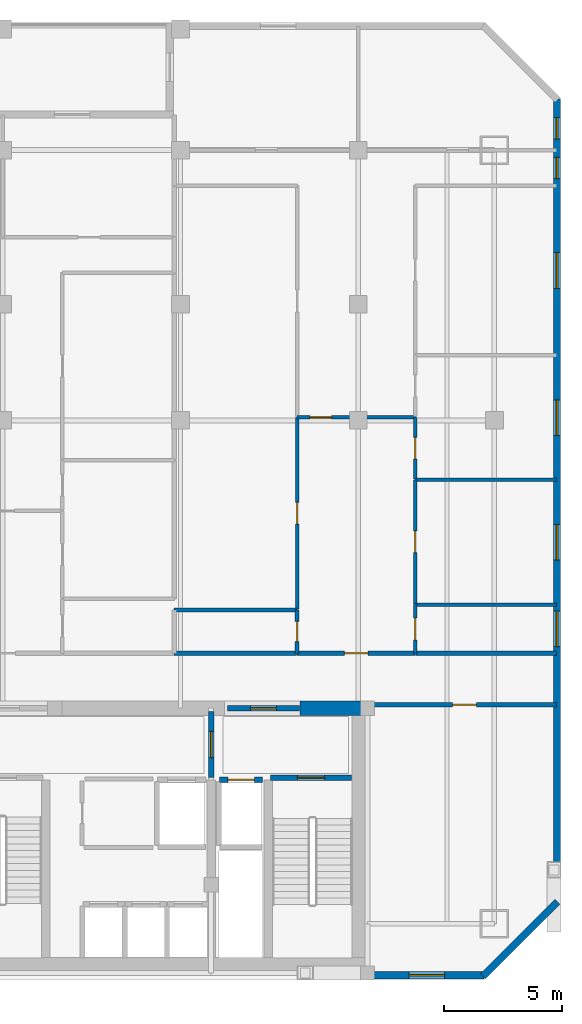
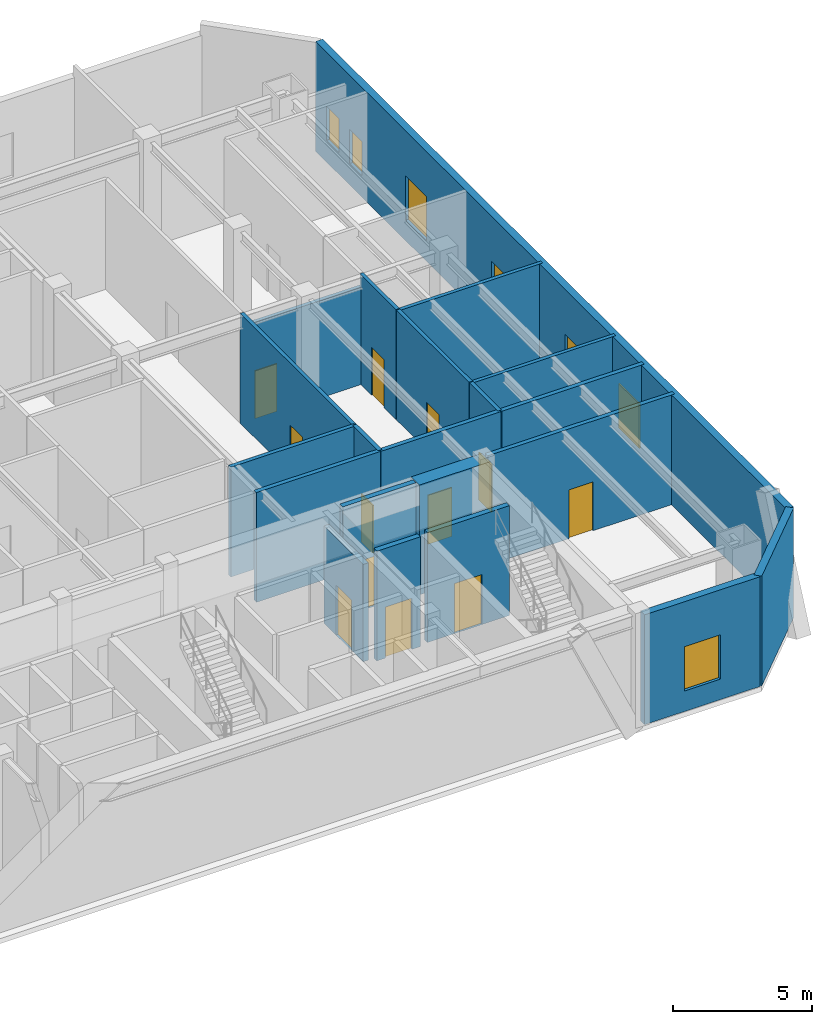
# One storey, part 5 of 8: 21 walls, 12 doors, 7 windows, 19 openings.
"""IFC4 building model written with IfcOpenShell, lengths in metres."""

from ifc_helpers import new_model, si_unit, direction, frame, frame_2d, origin, place, context, subcontext, project, spatial, rectangle, extrude, material, layer, layer_set, type_object, element, fill, save


model = new_model("IFC4")

# Units and contexts
model_context = context("Model", 3, precision=1e-05, world=origin(), true_north=direction((0.0, 1.0)))
body_context = subcontext(model_context, "Body", "Model", "MODEL_VIEW")
ifc_project = project(units=[si_unit("LENGTHUNIT", "METRE"), si_unit("AREAUNIT", "SQUARE_METRE"), si_unit("VOLUMEUNIT", "CUBIC_METRE"), si_unit("PLANEANGLEUNIT", "RADIAN"), si_unit("MASSUNIT", "GRAM", prefix="KILO")], contexts=[model_context])

# Site, building, storey
site_placement = place(None, origin())
site = spatial("IfcSite", under=ifc_project, at=site_placement, CompositionType="ELEMENT")
building_placement = place(site_placement, origin())
building = spatial("IfcBuilding", under=site, at=building_placement, Name="Ventersveld Concourse Tower", CompositionType="ELEMENT")
storey_placement = place(building_placement, frame((0.0, 0.0, 187.550048828125)))
storey = spatial("IfcBuildingStorey", under=building, at=storey_placement, Name="L46", CompositionType="ELEMENT", Elevation=187.550048828125)

# Wall
ifc_material_1 = material(Name="Concrete C50/60", Category="concrete")
ifc_layer_1 = layer(ifc_material_1, 0.60009765625)
ifc_layer_set_1 = layer_set([ifc_layer_1], Name="Concrete C50/60")
wall_type_1 = type_object("IfcWallType", Name="WL-CORE-600", PredefinedType="SHEAR", material=ifc_layer_set_1)
wall_1_placement = place(storey_placement, frame((41.300048828125, 11.449951171875, 0.0), z_axis=(0.0, 0.0, 1.0), x_axis=(1.0, 0.0, 0.0)))
element("IfcWall", 1, at=wall_1_placement, inside=storey, type_object=wall_type_1, Name="L46 Rear Core North Shear Wall NE", PredefinedType="SHEAR", context=body_context, shape_type="SweptSolid", body=[
    extrude(rectangle(XDim=2.949951171875, YDim=0.60009765625, at=frame_2d((1.47509765625, 0.0))), origin(), (0.0, 0.0, 1.0), 4.829833984375),
])

# Wall, opening, door
ifc_material_2 = material(Name="Fire-rated autoclaved aerated masonry blockwork", Category="masonry")
ifc_layer_2 = layer(ifc_material_2, 0.179931640625)
ifc_layer_set_2 = layer_set([ifc_layer_2], Name="Fire-rated autoclaved aerated masonry blockwork")
wall_type_2 = type_object("IfcWallType", Name="WL-CORR-180", PredefinedType="PARTITIONING", material=ifc_layer_set_2)
wall_2_placement = place(storey_placement, frame((44.35498046875, 11.60009765625, 0.0), z_axis=(0.0, 0.0, 1.0), x_axis=(1.0, 0.0, 0.0)))
wall_2 = element("IfcWall", 2, at=wall_2_placement, inside=storey, type_object=wall_type_2, Name="L46 Interior Partition SP-L46-SE-OFF-SP-L46-COR", PredefinedType="PARTITIONING", context=body_context, shape_type="SweptSolid", body=[
    extrude(rectangle(XDim=7.7724609375, YDim=0.179931640625, at=frame_2d((3.88623046875, 0.0))), origin(), (0.0, 0.0, 1.0), 4.829833984375),
])
opening_1_placement = place(wall_2_placement, frame((3.38623046875, 0.0, 0.0)))
opening_1 = element("IfcOpeningElement", 3, at=opening_1_placement, cuts=wall_2, Name="Opening FD3", PredefinedType="OPENING", context=body_context, shape_type="SweptSolid", body=[
    extrude(rectangle(XDim=1.0, YDim=2.14990234375, at=frame_2d((0.5, 1.074951171875))), frame((0.0, 0.10009765625, 0.0), z_axis=(0.0, -1.0, 0.0), x_axis=(1.0, 0.0, 0.0)), (0.0, 0.0, 1.0), 0.199951171875),
])
ifc_material_3 = material(Name="Solid-core hardwood veneer timber", Category="wood")
door_type_1 = type_object("IfcDoorType", Name="DR-FLAT-100", OperationType="NOTDEFINED", PredefinedType="DOOR", material=ifc_material_3)
door_1_placement = place(opening_1_placement, origin())
door_1 = element("IfcDoor", 4, at=door_1_placement, inside=storey, type_object=door_type_1, Name="L46 Interior Door SP-L46-SE-OFF to SP-L46-COR (D-L46-2254)", OperationType="SINGLE_SWING_RIGHT", OverallHeight=2.14990234375, OverallWidth=1.0, PredefinedType="DOOR", context=body_context, shape_type="SweptSolid", body=[
    extrude(rectangle(XDim=1.0, YDim=2.14990234375, at=frame_2d((0.5, 1.074951171875))), frame((0.0, 0.02490234375, 0.0), z_axis=(0.0, -1.0, 0.0), x_axis=(1.0, 0.0, 0.0)), (0.0, 0.0, 1.0), 0.050048828125),
])
fill(opening_1, door_1)

wall_3_placement = place(storey_placement, frame((41.17138671875, 13.77001953125, 0.0), z_axis=(0.0, 0.0, 1.0), x_axis=(1.0, 0.0, 0.0)))
wall_3 = element("IfcWall", 5, at=wall_3_placement, inside=storey, type_object=wall_type_2, Name="L46 Interior Partition SP-L46-COR-SP-L46-46CE-FOY", PredefinedType="PARTITIONING", context=body_context, shape_type="SweptSolid", body=[
    extrude(rectangle(XDim=4.989990234375, YDim=0.179931640625, at=frame_2d((2.4951171875, 0.0))), origin(), (0.0, 0.0, 1.0), 4.829833984375),
])
opening_2_placement = place(wall_3_placement, frame((1.9951171875, 0.0, 0.0)))
opening_2 = element("IfcOpeningElement", 6, at=opening_2_placement, cuts=wall_3, Name="Opening FD3", PredefinedType="OPENING", context=body_context, shape_type="SweptSolid", body=[
    extrude(rectangle(XDim=1.0, YDim=2.14990234375, at=frame_2d((0.5, 1.074951171875))), frame((0.0, 0.10009765625, 0.0), z_axis=(0.0, -1.0, 0.0), x_axis=(1.0, 0.0, 0.0)), (0.0, 0.0, 1.0), 0.199951171875),
])
door_2_placement = place(opening_2_placement, origin())
door_2 = element("IfcDoor", 7, at=door_2_placement, inside=storey, type_object=door_type_1, Name="L46 Interior Door SP-L46-COR to SP-L46-46CE-FOY (FD-L46-2256)", OperationType="SINGLE_SWING_RIGHT", OverallHeight=2.14990234375, OverallWidth=1.0, PredefinedType="DOOR", context=body_context, shape_type="SweptSolid", body=[
    extrude(rectangle(XDim=1.0, YDim=2.14990234375, at=frame_2d((0.5, 1.074951171875))), frame((0.0, 0.02490234375, 0.0), z_axis=(0.0, -1.0, 0.0), x_axis=(1.0, 0.0, 0.0)), (0.0, 0.0, 1.0), 0.050048828125),
])
fill(opening_2, door_2)

# Walls
wall_4_placement = place(storey_placement, frame((35.985107421875, 13.77001953125, 0.0), z_axis=(0.0, 0.0, 1.0), x_axis=(1.0, 0.0, 0.0)))
element("IfcWall", 8, at=wall_4_placement, inside=storey, type_object=wall_type_2, Name="L46 Interior Partition SP-L46-COR-SP-L46-46CE-BATH", PredefinedType="PARTITIONING", context=body_context, shape_type="SweptSolid", body=[
    extrude(rectangle(XDim=5.15625, YDim=0.179931640625, at=frame_2d((2.578125, 0.0))), origin(), (0.0, 0.0, 1.0), 4.829833984375),
])
wall_5_placement = place(storey_placement, frame((46.19140625, 13.77001953125, 0.0), z_axis=(0.0, 0.0, 1.0), x_axis=(1.0, 0.0, 0.0)))
element("IfcWall", 9, at=wall_5_placement, inside=storey, type_object=wall_type_2, Name="L46 Interior Partition SP-L46-COR-SP-L46-46CE-KIT", PredefinedType="PARTITIONING", context=body_context, shape_type="SweptSolid", body=[
    extrude(rectangle(XDim=5.93603515625, YDim=0.179931640625, at=frame_2d((2.968017578125, 0.0))), origin(), (0.0, 0.0, 1.0), 4.829833984375),
])

# Wall, opening, door
ifc_layer_3 = layer(ifc_material_2, 0.219970703125)
ifc_layer_set_3 = layer_set([ifc_layer_3], Name="Fire-rated autoclaved aerated masonry blockwork")
wall_type_3 = type_object("IfcWallType", Name="WL-HOIST-220", PredefinedType="SOLIDWALL", material=ifc_layer_set_3)
wall_6_placement = place(storey_placement, frame((37.89990234375, 8.429931640625, 0.0), z_axis=(0.0, 0.0, 1.0), x_axis=(1.0, 0.0, 0.0)))
wall_6 = element("IfcWall", 10, at=wall_6_placement, inside=storey, type_object=wall_type_3, Name="L46 Lift Hoistway Front Wall FFL-02", PredefinedType="SOLIDWALL", context=body_context, shape_type="SweptSolid", body=[
    extrude(rectangle(XDim=1.820068359375, YDim=0.219970703125, at=frame_2d((0.91015625, 0.0))), origin(), (0.0, 0.0, 1.0), 4.829833984375),
])
opening_3_placement = place(wall_6_placement, frame((0.35009765625, 0.0, 0.0)))
opening_3 = element("IfcOpeningElement", 11, at=opening_3_placement, cuts=wall_6, Name="Opening LD1", PredefinedType="OPENING", context=body_context, shape_type="SweptSolid", body=[
    extrude(rectangle(XDim=1.1201171875, YDim=2.25, at=frame_2d((0.56005859375, 1.125))), frame((0.0, 0.1201171875, 0.0), z_axis=(0.0, -1.0, 0.0), x_axis=(1.0, 0.0, 0.0)), (0.0, 0.0, 1.0), 0.239990234375),
])
ifc_material_4 = material(Name="Brushed stainless steel 316", Category="steel")
door_type_2 = type_object("IfcDoorType", Name="LD-FF-112", OperationType="SLIDING_TO_LEFT", PredefinedType="DOOR", material=ifc_material_4)
door_3_placement = place(opening_3_placement, origin())
door_3 = element("IfcDoor", 12, at=door_3_placement, inside=storey, type_object=door_type_2, Name="L46 Lift landing door FFL-02 (LD-L46-FFL-02)", OperationType="SLIDING_TO_RIGHT", OverallHeight=2.25, OverallWidth=1.1201171875, PredefinedType="DOOR", context=body_context, shape_type="SweptSolid", body=[
    extrude(rectangle(XDim=1.1201171875, YDim=2.25, at=frame_2d((0.56005859375, 1.125))), frame((0.0, 0.02490234375, 0.0), z_axis=(0.0, -1.0, 0.0), x_axis=(1.0, 0.0, 0.0)), (0.0, 0.0, 1.0), 0.050048828125),
])
fill(opening_3, door_3)

wall_7_placement = place(storey_placement, frame((40.06005859375, 8.52001953125, 0.0), z_axis=(0.0, 0.0, 1.0), x_axis=(1.0, 0.0, 0.0)))
wall_7 = element("IfcWall", 13, at=wall_7_placement, inside=storey, type_object=wall_type_3, Name="L46 Escape Stair ST02 Fire Wall", PredefinedType="SOLIDWALL", context=body_context, shape_type="SweptSolid", body=[
    extrude(rectangle(XDim=3.39990234375, YDim=0.219970703125, at=frame_2d((1.699951171875, 0.0))), origin(), (0.0, 0.0, 1.0), 4.829833984375),
])
opening_4_placement = place(wall_7_placement, frame((1.125, 0.0, 0.0)))
opening_4 = element("IfcOpeningElement", 14, at=opening_4_placement, cuts=wall_7, Name="Opening FD1", PredefinedType="OPENING", context=body_context, shape_type="SweptSolid", body=[
    extrude(rectangle(XDim=1.14990234375, YDim=2.199951171875, at=frame_2d((0.574951171875, 1.10009765625))), frame((0.0, 0.1201171875, 0.0), z_axis=(0.0, -1.0, 0.0), x_axis=(1.0, 0.0, 0.0)), (0.0, 0.0, 1.0), 0.239990234375),
])
ifc_material_5 = material(Name="Galvanised painted steel", Category="steel")
door_type_3 = type_object("IfcDoorType", Name="DR-STAIR-115", OperationType="NOTDEFINED", PredefinedType="DOOR", material=ifc_material_5)
door_4_placement = place(opening_4_placement, origin())
door_4 = element("IfcDoor", 15, at=door_4_placement, inside=storey, type_object=door_type_3, Name="L46 Escape Stair Door ST02 (SD-L46-2242)", OperationType="SINGLE_SWING_RIGHT", OverallHeight=2.199951171875, OverallWidth=1.14990234375, PredefinedType="DOOR", context=body_context, shape_type="SweptSolid", body=[
    extrude(rectangle(XDim=1.14990234375, YDim=2.199951171875, at=frame_2d((0.574951171875, 1.10009765625))), frame((0.0, 0.02490234375, 0.0), z_axis=(0.0, -1.0, 0.0), x_axis=(1.0, 0.0, 0.0)), (0.0, 0.0, 1.0), 0.050048828125),
])
fill(opening_4, door_4)

wall_8_placement = place(storey_placement, frame((37.550048828125, 8.52001953125, 0.0), z_axis=(0.0, 0.0, 1.0), x_axis=(0.0, 1.0, 0.0)))
wall_8 = element("IfcWall", 16, at=wall_8_placement, inside=storey, type_object=wall_type_3, Name="L46 Firefighting Lobby Smoke-Stop Wall FFLE-SEP", PredefinedType="SOLIDWALL", context=body_context, shape_type="SweptSolid", body=[
    extrude(rectangle(XDim=2.800048828125, YDim=0.219970703125, at=frame_2d((1.39990234375, 0.0))), origin(), (0.0, 0.0, 1.0), 4.285400390625),
])
opening_5_placement = place(wall_8_placement, frame((0.85009765625, 0.0, 0.0)))
opening_5 = element("IfcOpeningElement", 17, at=opening_5_placement, cuts=wall_8, Name="Opening FD2", PredefinedType="OPENING", context=body_context, shape_type="SweptSolid", body=[
    extrude(rectangle(XDim=1.10009765625, YDim=2.199951171875, at=frame_2d((0.550048828125, 1.10009765625))), frame((0.0, 0.1201171875, 0.0), z_axis=(0.0, -1.0, 0.0), x_axis=(1.0, 0.0, 0.0)), (0.0, 0.0, 1.0), 0.239990234375),
])
door_type_4 = type_object("IfcDoorType", Name="DR-FFL-110", OperationType="NOTDEFINED", PredefinedType="DOOR", material=ifc_material_5)
door_5_placement = place(opening_5_placement, origin())
door_5 = element("IfcDoor", 18, at=door_5_placement, inside=storey, type_object=door_type_4, Name="L46 Firefighting Lobby Door FFLE-SEP (FD-L46-2245)", OperationType="SINGLE_SWING_RIGHT", OverallHeight=2.199951171875, OverallWidth=1.10009765625, PredefinedType="DOOR", context=body_context, shape_type="SweptSolid", body=[
    extrude(rectangle(XDim=1.10009765625, YDim=2.199951171875, at=frame_2d((0.550048828125, 1.10009765625))), frame((0.0, 0.02490234375, 0.0), z_axis=(0.0, -1.0, 0.0), x_axis=(1.0, 0.0, 0.0)), (0.0, 0.0, 1.0), 0.050048828125),
])
fill(opening_5, door_5)

wall_9_placement = place(storey_placement, frame((38.22998046875, 11.449951171875, 0.0), z_axis=(0.0, 0.0, 1.0), x_axis=(1.0, 0.0, 0.0)))
wall_9 = element("IfcWall", 19, at=wall_9_placement, inside=storey, type_object=wall_type_3, Name="L46 Core North Fire Portal FFLE-OUT", PredefinedType="SOLIDWALL", context=body_context, shape_type="SweptSolid", body=[
    extrude(rectangle(XDim=3.0400390625, YDim=0.219970703125, at=frame_2d((1.52001953125, 0.0))), origin(), (0.0, 0.0, 1.0), 4.829833984375),
])
opening_6_placement = place(wall_9_placement, frame((0.969970703125, 0.0, 0.0)))
opening_6 = element("IfcOpeningElement", 20, at=opening_6_placement, cuts=wall_9, Name="Opening FD2", PredefinedType="OPENING", context=body_context, shape_type="SweptSolid", body=[
    extrude(rectangle(XDim=1.10009765625, YDim=2.199951171875, at=frame_2d((0.550048828125, 1.10009765625))), frame((0.0, 0.1201171875, 0.0), z_axis=(0.0, -1.0, 0.0), x_axis=(1.0, 0.0, 0.0)), (0.0, 0.0, 1.0), 0.239990234375),
])
door_6_placement = place(opening_6_placement, origin())
door_6 = element("IfcDoor", 21, at=door_6_placement, inside=storey, type_object=door_type_4, Name="L46 Core Lobby Fire Door FFLE-OUT (FD-L46-2248)", OperationType="SINGLE_SWING_LEFT", OverallHeight=2.199951171875, OverallWidth=1.10009765625, PredefinedType="DOOR", context=body_context, shape_type="SweptSolid", body=[
    extrude(rectangle(XDim=1.10009765625, YDim=2.199951171875, at=frame_2d((0.550048828125, 1.10009765625))), frame((0.0, 0.02490234375, 0.0), z_axis=(0.0, -1.0, 0.0), x_axis=(1.0, 0.0, 0.0)), (0.0, 0.0, 1.0), 0.050048828125),
])
fill(opening_6, door_6)

ifc_material_6 = material(Name="Autoclaved aerated masonry blockwork", Category="masonry")
ifc_layer_4 = layer(ifc_material_6, 0.14990234375)
ifc_layer_set_4 = layer_set([ifc_layer_4], Name="Autoclaved aerated masonry blockwork")
wall_type_4 = type_object("IfcWallType", Name="WL-INT-150", PredefinedType="PARTITIONING", material=ifc_layer_set_4)
wall_10_placement = place(storey_placement, frame((41.17138671875, 23.720703125, 0.0), z_axis=(0.0, 0.0, 1.0), x_axis=(1.0, 0.0, 0.0)))
wall_10 = element("IfcWall", 22, at=wall_10_placement, inside=storey, type_object=wall_type_4, Name="L46 Interior Partition SP-L46-46CE-FOY-SP-L46-46CE-LIV", PredefinedType="PARTITIONING", context=body_context, shape_type="SweptSolid", body=[
    extrude(rectangle(XDim=4.989990234375, YDim=0.14990234375, at=frame_2d((2.4951171875, 0.0))), origin(), (0.0, 0.0, 1.0), 4.285400390625),
])
opening_7_placement = place(wall_10_placement, frame((0.5380859375, 0.0, 0.0)))
opening_7 = element("IfcOpeningElement", 23, at=opening_7_placement, cuts=wall_10, Name="Opening ID1", PredefinedType="OPENING", context=body_context, shape_type="SweptSolid", body=[
    extrude(rectangle(XDim=0.919921875, YDim=2.10009765625, at=frame_2d((0.4599609375, 1.050048828125))), frame((0.0, 0.0849609375, 0.0), z_axis=(0.0, -1.0, 0.0), x_axis=(1.0, 0.0, 0.0)), (0.0, 0.0, 1.0), 0.169921875),
])
door_type_5 = type_object("IfcDoorType", Name="DR-ROOM-092", OperationType="NOTDEFINED", PredefinedType="DOOR", material=ifc_material_3)
door_7_placement = place(opening_7_placement, origin())
door_7 = element("IfcDoor", 24, at=door_7_placement, inside=storey, type_object=door_type_5, Name="L46 Interior Door SP-L46-46CE-FOY to SP-L46-46CE-LIV (D-L46-2266)", OperationType="SINGLE_SWING_RIGHT", OverallHeight=2.10009765625, OverallWidth=0.919921875, PredefinedType="DOOR", context=body_context, shape_type="SweptSolid", body=[
    extrude(rectangle(XDim=0.919921875, YDim=2.10009765625, at=frame_2d((0.4599609375, 1.050048828125))), frame((0.0, 0.02490234375, 0.0), z_axis=(0.0, -1.0, 0.0), x_axis=(1.0, 0.0, 0.0)), (0.0, 0.0, 1.0), 0.050048828125),
])
fill(opening_7, door_7)

wall_11_placement = place(storey_placement, frame((41.176513671875, 15.635009765625, 0.0), z_axis=(0.0, 0.0, 1.0), x_axis=(0.0, 1.0, 0.0)))
wall_11 = element("IfcWall", 25, at=wall_11_placement, inside=storey, type_object=wall_type_4, Name="L46 Interior Partition SP-L46-46CE-FOY-SP-L46-46CE-OFFL0", PredefinedType="PARTITIONING", context=body_context, shape_type="SweptSolid", body=[
    extrude(rectangle(XDim=8.0908203125, YDim=0.14990234375, at=frame_2d((4.04541015625, 0.0))), origin(), (0.0, 0.0, 1.0), 4.829833984375),
])
opening_8_placement = place(wall_11_placement, frame((3.58544921875, 0.0, 0.0)))
opening_8 = element("IfcOpeningElement", 26, at=opening_8_placement, cuts=wall_11, Name="Opening ID1", PredefinedType="OPENING", context=body_context, shape_type="SweptSolid", body=[
    extrude(rectangle(XDim=0.919921875, YDim=2.10009765625, at=frame_2d((0.4599609375, 1.050048828125))), frame((0.0, 0.0849609375, 0.0), z_axis=(0.0, -1.0, 0.0), x_axis=(1.0, 0.0, 0.0)), (0.0, 0.0, 1.0), 0.169921875),
])
door_8_placement = place(opening_8_placement, origin())
door_8 = element("IfcDoor", 27, at=door_8_placement, inside=storey, type_object=door_type_5, Name="L46 Interior Door SP-L46-46CE-FOY to SP-L46-46CE-OFFL0 (D-L46-2268)", OperationType="SINGLE_SWING_RIGHT", OverallHeight=2.10009765625, OverallWidth=0.919921875, PredefinedType="DOOR", context=body_context, shape_type="SweptSolid", body=[
    extrude(rectangle(XDim=0.919921875, YDim=2.10009765625, at=frame_2d((0.4599609375, 1.050048828125))), frame((0.0, 0.02490234375, 0.0), z_axis=(0.0, -1.0, 0.0), x_axis=(1.0, 0.0, 0.0)), (0.0, 0.0, 1.0), 0.050048828125),
])
fill(opening_8, door_8)

wall_12_placement = place(storey_placement, frame((46.156494140625, 13.764892578125, 0.0), z_axis=(0.0, 0.0, 1.0), x_axis=(0.0, 1.0, 0.0)))
wall_12 = element("IfcWall", 28, at=wall_12_placement, inside=storey, type_object=wall_type_4, Name="L46 Interior Partition SP-L46-46CE-FOY-SP-L46-46CE-KIT", PredefinedType="PARTITIONING", context=body_context, shape_type="SweptSolid", body=[
    extrude(rectangle(XDim=2.06005859375, YDim=0.14990234375, at=frame_2d((1.030029296875, 0.0))), origin(), (0.0, 0.0, 1.0), 4.829833984375),
])
opening_9_placement = place(wall_12_placement, frame((0.570068359375, 0.0, 0.0)))
opening_9 = element("IfcOpeningElement", 29, at=opening_9_placement, cuts=wall_12, Name="Opening ID1", PredefinedType="OPENING", context=body_context, shape_type="SweptSolid", body=[
    extrude(rectangle(XDim=0.919921875, YDim=2.10009765625, at=frame_2d((0.4599609375, 1.050048828125))), frame((0.0, 0.0849609375, 0.0), z_axis=(0.0, -1.0, 0.0), x_axis=(1.0, 0.0, 0.0)), (0.0, 0.0, 1.0), 0.169921875),
])
door_9_placement = place(opening_9_placement, origin())
door_9 = element("IfcDoor", 30, at=door_9_placement, inside=storey, type_object=door_type_5, Name="L46 Interior Door SP-L46-46CE-FOY to SP-L46-46CE-KIT (D-L46-2269)", OperationType="SINGLE_SWING_LEFT", OverallHeight=2.10009765625, OverallWidth=0.919921875, PredefinedType="DOOR", context=body_context, shape_type="SweptSolid", body=[
    extrude(rectangle(XDim=0.919921875, YDim=2.10009765625, at=frame_2d((0.4599609375, 1.050048828125))), frame((0.0, 0.02490234375, 0.0), z_axis=(0.0, -1.0, 0.0), x_axis=(1.0, 0.0, 0.0)), (0.0, 0.0, 1.0), 0.050048828125),
])
fill(opening_9, door_9)

wall_13_placement = place(storey_placement, frame((46.156494140625, 15.85498046875, 0.0), z_axis=(0.0, 0.0, 1.0), x_axis=(0.0, 1.0, 0.0)))
wall_13 = element("IfcWall", 31, at=wall_13_placement, inside=storey, type_object=wall_type_4, Name="L46 Interior Partition SP-L46-46CE-FOY-SP-L46-46CE-DENR", PredefinedType="PARTITIONING", context=body_context, shape_type="SweptSolid", body=[
    extrude(rectangle(XDim=5.233642578125, YDim=0.14990234375, at=frame_2d((2.61669921875, 0.0))), origin(), (0.0, 0.0, 1.0), 4.829833984375),
])
opening_10_placement = place(wall_13_placement, frame((2.156982421875, 0.0, 0.0)))
opening_10 = element("IfcOpeningElement", 32, at=opening_10_placement, cuts=wall_13, Name="Opening ID1", PredefinedType="OPENING", context=body_context, shape_type="SweptSolid", body=[
    extrude(rectangle(XDim=0.919921875, YDim=2.10009765625, at=frame_2d((0.4599609375, 1.050048828125))), frame((0.0, 0.0849609375, 0.0), z_axis=(0.0, -1.0, 0.0), x_axis=(1.0, 0.0, 0.0)), (0.0, 0.0, 1.0), 0.169921875),
])
door_10_placement = place(opening_10_placement, origin())
door_10 = element("IfcDoor", 33, at=door_10_placement, inside=storey, type_object=door_type_5, Name="L46 Interior Door SP-L46-46CE-FOY to SP-L46-46CE-DENR (D-L46-2270)", OperationType="SINGLE_SWING_RIGHT", OverallHeight=2.10009765625, OverallWidth=0.919921875, PredefinedType="DOOR", context=body_context, shape_type="SweptSolid", body=[
    extrude(rectangle(XDim=0.919921875, YDim=2.10009765625, at=frame_2d((0.4599609375, 1.050048828125))), frame((0.0, 0.02490234375, 0.0), z_axis=(0.0, -1.0, 0.0), x_axis=(1.0, 0.0, 0.0)), (0.0, 0.0, 1.0), 0.050048828125),
])
fill(opening_10, door_10)

wall_14_placement = place(storey_placement, frame((46.156494140625, 21.11865234375, 0.0), z_axis=(0.0, 0.0, 1.0), x_axis=(0.0, 1.0, 0.0)))
wall_14 = element("IfcWall", 34, at=wall_14_placement, inside=storey, type_object=wall_type_4, Name="L46 Interior Partition SP-L46-46CE-FOY-SP-L46-46CE-DENS", PredefinedType="PARTITIONING", context=body_context, shape_type="SweptSolid", body=[
    extrude(rectangle(XDim=2.607177734375, YDim=0.14990234375, at=frame_2d((1.3037109375, 0.0))), origin(), (0.0, 0.0, 1.0), 4.829833984375),
])
opening_11_placement = place(wall_14_placement, frame((0.843505859375, 0.0, 0.0)))
opening_11 = element("IfcOpeningElement", 35, at=opening_11_placement, cuts=wall_14, Name="Opening ID1", PredefinedType="OPENING", context=body_context, shape_type="SweptSolid", body=[
    extrude(rectangle(XDim=0.919921875, YDim=2.10009765625, at=frame_2d((0.4599609375, 1.050048828125))), frame((0.0, 0.0849609375, 0.0), z_axis=(0.0, -1.0, 0.0), x_axis=(1.0, 0.0, 0.0)), (0.0, 0.0, 1.0), 0.169921875),
])
door_11_placement = place(opening_11_placement, origin())
door_11 = element("IfcDoor", 36, at=door_11_placement, inside=storey, type_object=door_type_5, Name="L46 Interior Door SP-L46-46CE-FOY to SP-L46-46CE-DENS (D-L46-2271)", OperationType="SINGLE_SWING_LEFT", OverallHeight=2.10009765625, OverallWidth=0.919921875, PredefinedType="DOOR", context=body_context, shape_type="SweptSolid", body=[
    extrude(rectangle(XDim=0.919921875, YDim=2.10009765625, at=frame_2d((0.4599609375, 1.050048828125))), frame((0.0, 0.02490234375, 0.0), z_axis=(0.0, -1.0, 0.0), x_axis=(1.0, 0.0, 0.0)), (0.0, 0.0, 1.0), 0.050048828125),
])
fill(opening_11, door_11)

# Walls
for number, where, z_axis, x_axis, name in (
    (37, (46.1513671875, 15.820068359375, 0.0), (0.0, 0.0, 1.0), (1.0, 0.0, 0.0), "L46 Interior Partition SP-L46-46CE-KIT-SP-L46-46CE-DENR"),
    (38, (46.1513671875, 21.083740234375, 0.0), (0.0, 0.0, 1.0), (1.0, 0.0, 0.0), "L46 Interior Partition SP-L46-46CE-DENR-SP-L46-46CE-DENS"),
):
    element("IfcWall", number, at=place(storey_placement, frame(where, z_axis=z_axis, x_axis=x_axis)), inside=storey, type_object=wall_type_4, Name=name, PredefinedType="PARTITIONING", context=body_context, shape_type="SweptSolid", body=[
        extrude(rectangle(XDim=5.97607421875, YDim=0.14990234375, at=frame_2d((2.988037109375, 0.0))), origin(), (0.0, 0.0, 1.0), 4.829833984375),
    ])

# Wall, opening, window
ifc_material_7 = material(Name="Precast concrete C45/55", Category="concrete")
ifc_layer_5 = layer(ifc_material_7, 0.300048828125)
ifc_layer_set_5 = layer_set([ifc_layer_5], Name="Precast concrete C45/55")
wall_type_5 = type_object("IfcWallType", Name="WL-PREC-300", PredefinedType="SOLIDWALL", material=ifc_layer_set_5)
wall_15_placement = place(storey_placement, frame((44.25, 0.179931640625, 0.0), z_axis=(0.0, 0.0, 1.0), x_axis=(1.0, 0.0, 0.0)))
wall_15 = element("IfcWall", 39, at=wall_15_placement, inside=storey, type_object=wall_type_5, Name="L46 South-East Flank Precast Wall", PredefinedType="SOLIDWALL", context=body_context, shape_type="SweptSolid", body=[
    extrude(rectangle(XDim=4.81005859375, YDim=0.300048828125, at=frame_2d((2.405029296875, 0.0))), origin(), (0.0, 0.0, 1.0), 4.829833984375),
])
opening_12_placement = place(wall_15_placement, frame((1.655029296875, 0.0, 0.89990234375)))
opening_12 = element("IfcOpeningElement", 40, at=opening_12_placement, cuts=wall_15, Name="Opening W1", PredefinedType="OPENING", context=body_context, shape_type="SweptSolid", body=[
    extrude(rectangle(XDim=1.5, YDim=1.949951171875, at=frame_2d((0.75, 0.97509765625))), frame((0.0, 0.16015625, 0.0), z_axis=(0.0, -1.0, 0.0), x_axis=(1.0, 0.0, 0.0)), (0.0, 0.0, 1.0), 0.320068359375),
])
ifc_material_8 = material(Name="Tempered acoustic Low-E IGU", Category="glass")
window_type_1 = type_object("IfcWindowType", Name="WIN-150x210", PartitioningType="SINGLE_PANEL", PredefinedType="WINDOW", material=ifc_material_8)
window_1_placement = place(opening_12_placement, origin())
window_1 = element("IfcWindow", 41, at=window_1_placement, inside=storey, type_object=window_type_1, Name="L46 Punched Low-E Window W-0637", OverallHeight=1.949951171875, OverallWidth=1.5, PartitioningType="SINGLE_PANEL", PredefinedType="WINDOW", context=body_context, shape_type="SweptSolid", body=[
    extrude(rectangle(XDim=1.5, YDim=1.949951171875, at=frame_2d((0.75, 0.97509765625))), frame((0.0, 0.030029296875, 0.0), z_axis=(0.0, -1.0, 0.0), x_axis=(1.0, 0.0, 0.0)), (0.0, 0.0, 1.0), 0.06005859375),
])
fill(opening_12, window_1)

# Wall
wall_16_placement = place(storey_placement, frame((49.022216796875, 0.134521484375, 0.0), z_axis=(0.0, 0.0, 1.0), x_axis=(0.707106781187, 0.707106781187, 0.0)))
element("IfcWall", 42, at=wall_16_placement, inside=storey, type_object=wall_type_5, Name="L46 Highveld Precast Facade Wall E02", PredefinedType="SOLIDWALL", context=body_context, shape_type="SweptSolid", body=[
    extrude(rectangle(XDim=4.4453125, YDim=0.300048828125, at=frame_2d((2.22265625, 0.0))), origin(), (0.0, 0.0, 1.0), 4.829833984375),
])

# Wall, openings, windows
wall_17_placement = place(storey_placement, frame((52.14990234375, 3.239990234375, 0.0), z_axis=(0.0, 0.0, 1.0), x_axis=(0.0, 1.0, 0.0)))
wall_17 = element("IfcWall", 43, at=wall_17_placement, inside=storey, type_object=wall_type_5, Name="L46 Highveld Precast Facade Wall E03", PredefinedType="SOLIDWALL", context=body_context, shape_type="SweptSolid", body=[
    extrude(rectangle(XDim=33.919921875, YDim=0.300048828125, at=frame_2d((16.9599609375, 0.0))), origin(), (0.0, 0.0, 1.0), 4.829833984375),
])
opening_13_placement = place(wall_17_placement, frame((30.56005859375, 0.0, 0.949951171875)))
opening_13 = element("IfcOpeningElement", 44, at=opening_13_placement, cuts=wall_17, Name="Opening W4", PredefinedType="OPENING", context=body_context, shape_type="SweptSolid", body=[
    extrude(rectangle(XDim=0.89990234375, YDim=1.5, at=frame_2d((0.449951171875, 0.75))), frame((0.0, 0.16015625, 0.0), z_axis=(0.0, -1.0, 0.0), x_axis=(1.0, 0.0, 0.0)), (0.0, 0.0, 1.0), 0.320068359375),
])
opening_14_placement = place(wall_17_placement, frame((10.804931640625, 0.0, 0.89990234375)))
opening_14 = element("IfcOpeningElement", 45, at=opening_14_placement, cuts=wall_17, Name="Opening W1", PredefinedType="OPENING", context=body_context, shape_type="SweptSolid", body=[
    extrude(rectangle(XDim=1.5, YDim=1.949951171875, at=frame_2d((0.75, 0.97509765625))), frame((0.0, 0.16015625, 0.0), z_axis=(0.0, -1.0, 0.0), x_axis=(1.0, 0.0, 0.0)), (0.0, 0.0, 1.0), 0.320068359375),
])
opening_15_placement = place(wall_17_placement, frame((14.4619140625, 0.0, 0.89990234375)))
opening_15 = element("IfcOpeningElement", 46, at=opening_15_placement, cuts=wall_17, Name="Opening W1", PredefinedType="OPENING", context=body_context, shape_type="SweptSolid", body=[
    extrude(rectangle(XDim=1.5, YDim=1.949951171875, at=frame_2d((0.75, 0.97509765625))), frame((0.0, 0.16015625, 0.0), z_axis=(0.0, -1.0, 0.0), x_axis=(1.0, 0.0, 0.0)), (0.0, 0.0, 1.0), 0.320068359375),
])
opening_16_placement = place(wall_17_placement, frame((19.7255859375, 0.0, 0.89990234375)))
opening_16 = element("IfcOpeningElement", 47, at=opening_16_placement, cuts=wall_17, Name="Opening W1", PredefinedType="OPENING", context=body_context, shape_type="SweptSolid", body=[
    extrude(rectangle(XDim=1.5, YDim=1.949951171875, at=frame_2d((0.75, 0.97509765625))), frame((0.0, 0.16015625, 0.0), z_axis=(0.0, -1.0, 0.0), x_axis=(1.0, 0.0, 0.0)), (0.0, 0.0, 1.0), 0.320068359375),
])
opening_17_placement = place(wall_17_placement, frame((25.93359375, 0.0, 0.89990234375)))
opening_17 = element("IfcOpeningElement", 48, at=opening_17_placement, cuts=wall_17, Name="Opening W1", PredefinedType="OPENING", context=body_context, shape_type="SweptSolid", body=[
    extrude(rectangle(XDim=1.5, YDim=1.949951171875, at=frame_2d((0.75, 0.97509765625))), frame((0.0, 0.16015625, 0.0), z_axis=(0.0, -1.0, 0.0), x_axis=(1.0, 0.0, 0.0)), (0.0, 0.0, 1.0), 0.320068359375),
])
opening_18_placement = place(wall_17_placement, frame((32.239990234375, 0.0, 0.949951171875)))
opening_18 = element("IfcOpeningElement", 49, at=opening_18_placement, cuts=wall_17, Name="Opening W4", PredefinedType="OPENING", context=body_context, shape_type="SweptSolid", body=[
    extrude(rectangle(XDim=0.89990234375, YDim=1.5, at=frame_2d((0.449951171875, 0.75))), frame((0.0, 0.16015625, 0.0), z_axis=(0.0, -1.0, 0.0), x_axis=(1.0, 0.0, 0.0)), (0.0, 0.0, 1.0), 0.320068359375),
])
window_type_2 = type_object("IfcWindowType", Name="WIN-090x150", PartitioningType="SINGLE_PANEL", PredefinedType="WINDOW", material=ifc_material_8)
window_2_placement = place(opening_13_placement, origin())
window_2 = element("IfcWindow", 50, at=window_2_placement, inside=storey, type_object=window_type_2, Name="L46 Punched Low-E Window W-0642", OverallHeight=1.5, OverallWidth=0.89990234375, PartitioningType="SINGLE_PANEL", PredefinedType="WINDOW", context=body_context, shape_type="SweptSolid", body=[
    extrude(rectangle(XDim=0.89990234375, YDim=1.5, at=frame_2d((0.449951171875, 0.75))), frame((0.0, 0.030029296875, 0.0), z_axis=(0.0, -1.0, 0.0), x_axis=(1.0, 0.0, 0.0)), (0.0, 0.0, 1.0), 0.06005859375),
])
fill(opening_13, window_2)
window_3_placement = place(opening_18_placement, origin())
window_3 = element("IfcWindow", 51, at=window_3_placement, inside=storey, type_object=window_type_2, Name="L46 Punched Low-E Window W-0648", OverallHeight=1.5, OverallWidth=0.89990234375, PartitioningType="SINGLE_PANEL", PredefinedType="WINDOW", context=body_context, shape_type="SweptSolid", body=[
    extrude(rectangle(XDim=0.89990234375, YDim=1.5, at=frame_2d((0.449951171875, 0.75))), frame((0.0, 0.030029296875, 0.0), z_axis=(0.0, -1.0, 0.0), x_axis=(1.0, 0.0, 0.0)), (0.0, 0.0, 1.0), 0.06005859375),
])
fill(opening_18, window_3)
window_4_placement = place(opening_14_placement, origin())
window_4 = element("IfcWindow", 52, at=window_4_placement, inside=storey, type_object=window_type_1, Name="L46 Punched Low-E Window W-0643", OverallHeight=1.949951171875, OverallWidth=1.5, PartitioningType="SINGLE_PANEL", PredefinedType="WINDOW", context=body_context, shape_type="SweptSolid", body=[
    extrude(rectangle(XDim=1.5, YDim=1.949951171875, at=frame_2d((0.75, 0.97509765625))), frame((0.0, 0.030029296875, 0.0), z_axis=(0.0, -1.0, 0.0), x_axis=(1.0, 0.0, 0.0)), (0.0, 0.0, 1.0), 0.06005859375),
])
fill(opening_14, window_4)
window_5_placement = place(opening_15_placement, origin())
window_5 = element("IfcWindow", 53, at=window_5_placement, inside=storey, type_object=window_type_1, Name="L46 Punched Low-E Window W-0644", OverallHeight=1.949951171875, OverallWidth=1.5, PartitioningType="SINGLE_PANEL", PredefinedType="WINDOW", context=body_context, shape_type="SweptSolid", body=[
    extrude(rectangle(XDim=1.5, YDim=1.949951171875, at=frame_2d((0.75, 0.97509765625))), frame((0.0, 0.030029296875, 0.0), z_axis=(0.0, -1.0, 0.0), x_axis=(1.0, 0.0, 0.0)), (0.0, 0.0, 1.0), 0.06005859375),
])
fill(opening_15, window_5)
window_6_placement = place(opening_16_placement, origin())
window_6 = element("IfcWindow", 54, at=window_6_placement, inside=storey, type_object=window_type_1, Name="L46 Punched Low-E Window W-0645", OverallHeight=1.949951171875, OverallWidth=1.5, PartitioningType="SINGLE_PANEL", PredefinedType="WINDOW", context=body_context, shape_type="SweptSolid", body=[
    extrude(rectangle(XDim=1.5, YDim=1.949951171875, at=frame_2d((0.75, 0.97509765625))), frame((0.0, 0.030029296875, 0.0), z_axis=(0.0, -1.0, 0.0), x_axis=(1.0, 0.0, 0.0)), (0.0, 0.0, 1.0), 0.06005859375),
])
fill(opening_16, window_6)
window_7_placement = place(opening_17_placement, origin())
window_7 = element("IfcWindow", 55, at=window_7_placement, inside=storey, type_object=window_type_1, Name="L46 Punched Low-E Window W-0646", OverallHeight=1.949951171875, OverallWidth=1.5, PartitioningType="SINGLE_PANEL", PredefinedType="WINDOW", context=body_context, shape_type="SweptSolid", body=[
    extrude(rectangle(XDim=1.5, YDim=1.949951171875, at=frame_2d((0.75, 0.97509765625))), frame((0.0, 0.030029296875, 0.0), z_axis=(0.0, -1.0, 0.0), x_axis=(1.0, 0.0, 0.0)), (0.0, 0.0, 1.0), 0.06005859375),
])
fill(opening_17, window_7)

# Wall, opening, door
ifc_layer_6 = layer(ifc_material_6, 0.1650390625)
ifc_layer_set_6 = layer_set([ifc_layer_6], Name="Autoclaved aerated masonry blockwork")
wall_type_6 = type_object("IfcWallType", Name="WL-WET-165", PredefinedType="PLUMBINGWALL", material=ifc_layer_set_6)
wall_18_placement = place(storey_placement, frame((41.176513671875, 13.764892578125, 0.0), z_axis=(0.0, 0.0, 1.0), x_axis=(0.0, 1.0, 0.0)))
wall_18 = element("IfcWall", 56, at=wall_18_placement, inside=storey, type_object=wall_type_6, Name="L46 Interior Partition SP-L46-46CE-FOY-SP-L46-46CE-BATH", PredefinedType="PLUMBINGWALL", context=body_context, shape_type="SweptSolid", body=[
    extrude(rectangle(XDim=1.840087890625, YDim=0.1650390625, at=frame_2d((0.919921875, 0.0))), origin(), (0.0, 0.0, 1.0), 4.829833984375),
])
opening_19_placement = place(wall_18_placement, frame((0.4951171875, 0.0, 0.0)))
opening_19 = element("IfcOpeningElement", 57, at=opening_19_placement, cuts=wall_18, Name="Opening ID2", PredefinedType="OPENING", context=body_context, shape_type="SweptSolid", body=[
    extrude(rectangle(XDim=0.85009765625, YDim=2.10009765625, at=frame_2d((0.425048828125, 1.050048828125))), frame((0.0, 0.092529296875, 0.0), z_axis=(0.0, -1.0, 0.0), x_axis=(1.0, 0.0, 0.0)), (0.0, 0.0, 1.0), 0.18505859375),
])
door_type_6 = type_object("IfcDoorType", Name="DR-BATH-085", OperationType="NOTDEFINED", PredefinedType="DOOR", material=ifc_material_3)
door_12_placement = place(opening_19_placement, origin())
door_12 = element("IfcDoor", 58, at=door_12_placement, inside=storey, type_object=door_type_6, Name="L46 Interior Door SP-L46-46CE-FOY to SP-L46-46CE-BATH (D-L46-2267)", OperationType="SINGLE_SWING_LEFT", OverallHeight=2.10009765625, OverallWidth=0.85009765625, PredefinedType="DOOR", context=body_context, shape_type="SweptSolid", body=[
    extrude(rectangle(XDim=0.85009765625, YDim=2.10009765625, at=frame_2d((0.425048828125, 1.050048828125))), frame((0.0, 0.02490234375, 0.0), z_axis=(0.0, -1.0, 0.0), x_axis=(1.0, 0.0, 0.0)), (0.0, 0.0, 1.0), 0.050048828125),
])
fill(opening_19, door_12)

# Wall
wall_19_placement = place(storey_placement, frame((35.985107421875, 15.60009765625, 0.0), z_axis=(0.0, 0.0, 1.0), x_axis=(1.0, 0.0, 0.0)))
element("IfcWall", 59, at=wall_19_placement, inside=storey, type_object=wall_type_6, Name="L46 Interior Partition SP-L46-46CE-BATH-SP-L46-46CE-OFFL0", PredefinedType="PLUMBINGWALL", context=body_context, shape_type="SweptSolid", body=[
    extrude(rectangle(XDim=5.1962890625, YDim=0.1650390625, at=frame_2d((2.59814453125, 0.0))), origin(), (0.0, 0.0, 1.0), 4.829833984375),
])

save(model, "model.ifc")
